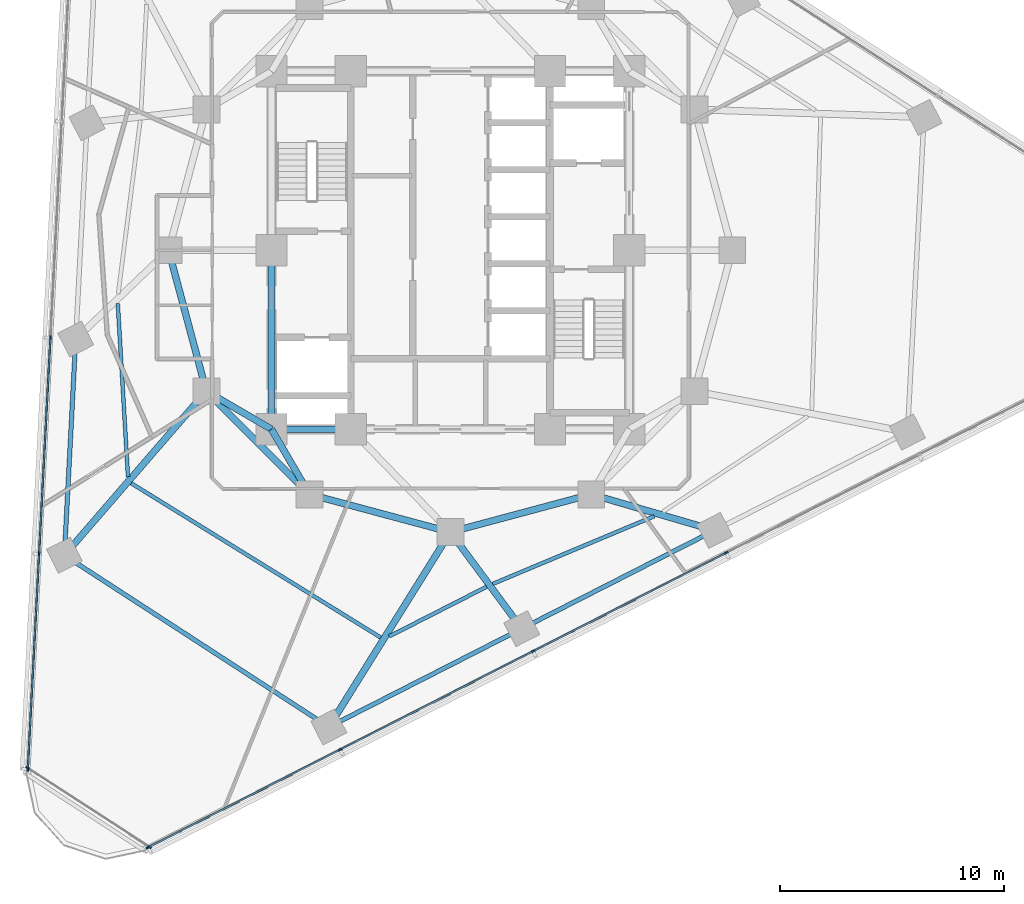
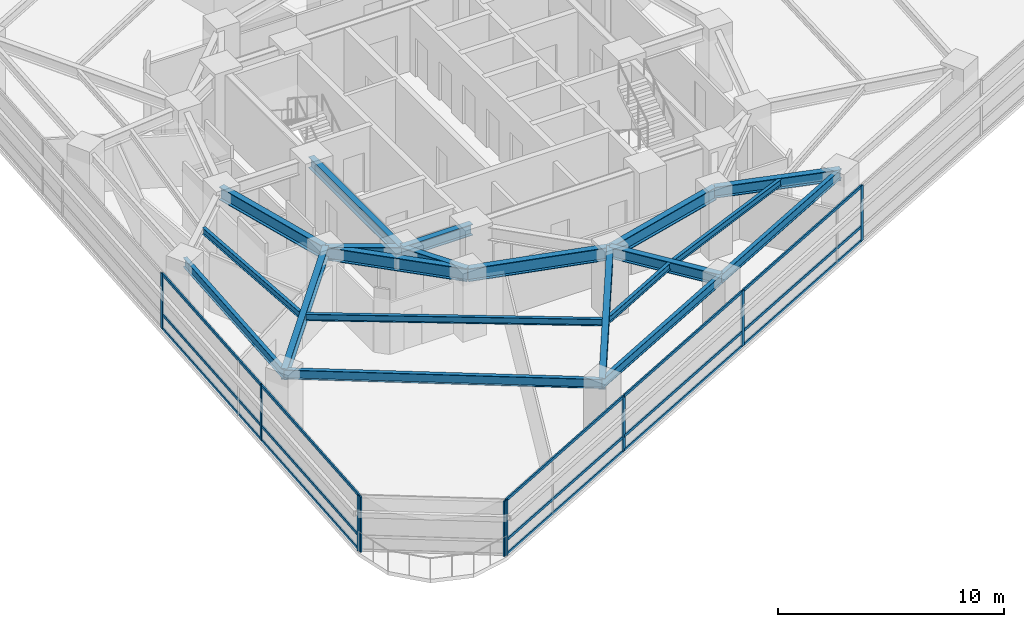
# One storey, part 2 of 14: 24 members, 20 beams, 3 elements without a shape of their own.
"""IFC4 building model written with IfcOpenShell, lengths in metres."""

from ifc_helpers import new_model, si_unit, direction, frame, origin, origin_2d, place, context, subcontext, project, spatial, rectangle, i_section, extrude, material, layer, layer_set, material_profile, profile_set, type_object, element, aggregate, save


model = new_model("IFC4")

# Units and contexts
model_context = context("Model", 3, precision=1e-05, world=origin(), true_north=direction((0.0, 1.0)))
body_context = subcontext(model_context, "Body", "Model", "MODEL_VIEW")
ifc_project = project(units=[si_unit("LENGTHUNIT", "METRE"), si_unit("AREAUNIT", "SQUARE_METRE"), si_unit("VOLUMEUNIT", "CUBIC_METRE"), si_unit("PLANEANGLEUNIT", "RADIAN"), si_unit("MASSUNIT", "GRAM", prefix="KILO")], contexts=[model_context])

# Site, building, storey
site_placement = place(None, origin())
site = spatial("IfcSite", under=ifc_project, at=site_placement, CompositionType="ELEMENT")
building_placement = place(site_placement, origin())
building = spatial("IfcBuilding", under=site, at=building_placement, Name="Terralouvre Media Tower", CompositionType="ELEMENT")
storey_placement = place(building_placement, frame((0.0, 0.0, 138.39990234375)))
storey = spatial("IfcBuildingStorey", under=building, at=storey_placement, Name="L35", CompositionType="ELEMENT", Elevation=138.39990234375)

# Beams
ifc_material_1 = material(Name="Structural steel S355J2", Category="steel")
ifc_material_profile_1 = material_profile(ifc_material_1, i_section(OverallWidth=0.169921875, OverallDepth=0.360107421875, WebThickness=0.008056640625, FlangeThickness=0.0126953125, at=origin_2d()), Name="IPE 360")
ifc_profile_set_1 = profile_set([ifc_material_profile_1], Name="Structural steel S355J2")
beam_type_1 = type_object("IfcBeamType", Name="Composite Floor Joist J-IPE360 (IPE 360)", PredefinedType="JOIST", material=ifc_profile_set_1)
beam_1_placement = place(storey_placement, frame((-14.872314453125, -2.377197265625, 3.320068359375), z_axis=(0.058878824525, -0.998265137137, 0.0), x_axis=(0.998265137137, 0.058878824525, 0.0)))
element("IfcBeam", 1, at=beam_1_placement, inside=storey, type_object=beam_type_1, Name="L35 Framing Beam JT-L35-01", PredefinedType="JOIST", context=body_context, shape_type="SweptSolid", body=[
    extrude(i_section(OverallWidth=0.169921875, OverallDepth=0.360107421875, WebThickness=0.008056640625, FlangeThickness=0.0126953125, at=origin_2d()), origin(), (0.0, 0.0, 1.0), 7.758056640625),
])
beam_2_placement = place(storey_placement, frame((-14.275390625, -10.413330078125, 3.320068359375), z_axis=(0.850512534705, -0.525954777818, 0.0), x_axis=(0.525954777818, 0.850512534705, 0.0)))
element("IfcBeam", 2, at=beam_2_placement, inside=storey, type_object=beam_type_1, Name="L35 Framing Beam JT-L35-02", PredefinedType="JOIST", context=body_context, shape_type="SweptSolid", body=[
    extrude(i_section(OverallWidth=0.169921875, OverallDepth=0.360107421875, WebThickness=0.008056640625, FlangeThickness=0.0126953125, at=origin_2d()), origin(), (0.0, 0.0, 1.0), 13.118896484375),
])
beam_3_placement = place(storey_placement, frame((-2.732666015625, -17.260986328125, 3.320068359375), z_axis=(0.891002879415, 0.453997652939, 0.0), x_axis=(-0.453997652939, 0.891002879415, 0.0)))
element("IfcBeam", 3, at=beam_3_placement, inside=storey, type_object=beam_type_1, Name="L35 Framing Beam JT-L35-03", PredefinedType="JOIST", context=body_context, shape_type="SweptSolid", body=[
    extrude(i_section(OverallWidth=0.169921875, OverallDepth=0.360107421875, WebThickness=0.008056640625, FlangeThickness=0.0126953125, at=origin_2d()), origin(), (0.0, 0.0, 1.0), 4.885009765625),
])
beam_4_placement = place(storey_placement, frame((1.89404296875, -14.916259765625, 3.320068359375), z_axis=(0.922254640504, 0.386582951085, 0.0), x_axis=(-0.386582951085, 0.922254640504, 0.0)))
element("IfcBeam", 4, at=beam_4_placement, inside=storey, type_object=beam_type_1, Name="L35 Framing Beam JT-L35-04", PredefinedType="JOIST", context=body_context, shape_type="SweptSolid", body=[
    extrude(i_section(OverallWidth=0.169921875, OverallDepth=0.360107421875, WebThickness=0.008056640625, FlangeThickness=0.0126953125, at=origin_2d()), origin(), (0.0, 0.0, 1.0), 7.8291015625),
])

# Curtain wall, members
ifc_material_2 = material(Name="Low-iron laminated double glazing with solar-control coating", Category="glass")
ifc_layer_1 = layer(ifc_material_2, 0.1650390625, Name="Production Studio Tower Curtain Wall CW-03")
ifc_layer_set_1 = layer_set([ifc_layer_1], Name="Low-iron laminated double glazing with solar-control coating")
curtain_wall_type_1 = type_object("IfcCurtainWallType", Name="Production Studio Tower Curtain Wall CW-03", PredefinedType="NOTDEFINED", material=ifc_layer_set_1)
curtain_wall_1_placement = place(storey_placement, origin())
curtain_wall_1 = element("IfcCurtainWall", 5, at=curtain_wall_1_placement, inside=storey, type_object=curtain_wall_type_1, Name="L35 Facade Curtain Wall F0", PredefinedType="NOTDEFINED")
ifc_material_3 = material(Name="Anodised extruded aluminium 6063-T6", Category="aluminium")
ifc_material_profile_2 = material_profile(ifc_material_3, rectangle(XDim=0.074951171875, YDim=0.14990234375, at=origin_2d()), Name="ALU 75x150")
ifc_profile_set_2 = profile_set([ifc_material_profile_2], Name="Anodised extruded aluminium 6063-T6")
member_type_1 = type_object("IfcMemberType", Name="Curtain-Wall Horizontal Transom TR-150", PredefinedType="USERDEFINED", material=ifc_profile_set_2)
member_1_placement = place(storey_placement, frame((-13.481689453125, -26.680419921875, 0.03759765625), z_axis=(0.891007557644, 0.453988471462, 0.0), x_axis=(-0.453988471462, 0.891007557644, 0.0)))
member_1 = element("IfcMember", 6, at=member_1_placement, type_object=member_type_1, Name="CW-03 transom 1.1", ObjectType="TRANSOM", PredefinedType="USERDEFINED", context=body_context, shape_type="SweptSolid", body=[
    extrude(rectangle(XDim=0.074951171875, YDim=0.14990234375, at=origin_2d()), origin(), (0.0, 0.0, 1.0), 9.5673828125),
])
member_2_placement = place(storey_placement, frame((-13.481689453125, -26.680419921875, 0.800048828125), z_axis=(0.891007557644, 0.453988471462, 0.0), x_axis=(-0.453988471462, 0.891007557644, 0.0)))
member_2 = element("IfcMember", 7, at=member_2_placement, type_object=member_type_1, Name="CW-03 transom 1.2", ObjectType="TRANSOM", PredefinedType="USERDEFINED", context=body_context, shape_type="SweptSolid", body=[
    extrude(rectangle(XDim=0.074951171875, YDim=0.14990234375, at=origin_2d()), origin(), (0.0, 0.0, 1.0), 9.5673828125),
])
member_3_placement = place(storey_placement, frame((-13.481689453125, -26.680419921875, 2.962646484375), z_axis=(0.891007557644, 0.453988471462, 0.0), x_axis=(-0.453988471462, 0.891007557644, 0.0)))
member_3 = element("IfcMember", 8, at=member_3_placement, type_object=member_type_1, Name="CW-03 transom 1.3", ObjectType="TRANSOM", PredefinedType="USERDEFINED", context=body_context, shape_type="SweptSolid", body=[
    extrude(rectangle(XDim=0.074951171875, YDim=0.14990234375, at=origin_2d()), origin(), (0.0, 0.0, 1.0), 9.5673828125),
])
member_4_placement = place(storey_placement, frame((-4.89013671875, -22.302978515625, 0.03759765625), z_axis=(0.891005548508, 0.453992414615, 0.0), x_axis=(-0.453992414615, 0.891005548508, 0.0)))
member_4 = element("IfcMember", 9, at=member_4_placement, type_object=member_type_1, Name="CW-03 transom 2.1", ObjectType="TRANSOM", PredefinedType="USERDEFINED", context=body_context, shape_type="SweptSolid", body=[
    extrude(rectangle(XDim=0.074951171875, YDim=0.14990234375, at=origin_2d()), origin(), (0.0, 0.0, 1.0), 9.60498046875),
])
member_5_placement = place(storey_placement, frame((-4.89013671875, -22.302978515625, 0.800048828125), z_axis=(0.891005548508, 0.453992414615, 0.0), x_axis=(-0.453992414615, 0.891005548508, 0.0)))
member_5 = element("IfcMember", 10, at=member_5_placement, type_object=member_type_1, Name="CW-03 transom 2.2", ObjectType="TRANSOM", PredefinedType="USERDEFINED", context=body_context, shape_type="SweptSolid", body=[
    extrude(rectangle(XDim=0.074951171875, YDim=0.14990234375, at=origin_2d()), origin(), (0.0, 0.0, 1.0), 9.60498046875),
])
member_6_placement = place(storey_placement, frame((-4.89013671875, -22.302978515625, 2.962646484375), z_axis=(0.891005548508, 0.453992414615, 0.0), x_axis=(-0.453992414615, 0.891005548508, 0.0)))
member_6 = element("IfcMember", 11, at=member_6_placement, type_object=member_type_1, Name="CW-03 transom 2.3", ObjectType="TRANSOM", PredefinedType="USERDEFINED", context=body_context, shape_type="SweptSolid", body=[
    extrude(rectangle(XDim=0.074951171875, YDim=0.14990234375, at=origin_2d()), origin(), (0.0, 0.0, 1.0), 9.60498046875),
])
member_7_placement = place(storey_placement, frame((3.734619140625, -17.908203125, 0.03759765625), z_axis=(0.891005548508, 0.453992414615, 0.0), x_axis=(-0.453992414615, 0.891005548508, 0.0)))
member_7 = element("IfcMember", 12, at=member_7_placement, type_object=member_type_1, Name="CW-03 transom 3.1", ObjectType="TRANSOM", PredefinedType="USERDEFINED", context=body_context, shape_type="SweptSolid", body=[
    extrude(rectangle(XDim=0.074951171875, YDim=0.14990234375, at=origin_2d()), origin(), (0.0, 0.0, 1.0), 9.60498046875),
])
member_8_placement = place(storey_placement, frame((3.734619140625, -17.908203125, 0.800048828125), z_axis=(0.891005548508, 0.453992414615, 0.0), x_axis=(-0.453992414615, 0.891005548508, 0.0)))
member_8 = element("IfcMember", 13, at=member_8_placement, type_object=member_type_1, Name="CW-03 transom 3.2", ObjectType="TRANSOM", PredefinedType="USERDEFINED", context=body_context, shape_type="SweptSolid", body=[
    extrude(rectangle(XDim=0.074951171875, YDim=0.14990234375, at=origin_2d()), origin(), (0.0, 0.0, 1.0), 9.60498046875),
])
member_9_placement = place(storey_placement, frame((3.734619140625, -17.908203125, 2.962646484375), z_axis=(0.891005548508, 0.453992414615, 0.0), x_axis=(-0.453992414615, 0.891005548508, 0.0)))
member_9 = element("IfcMember", 14, at=member_9_placement, type_object=member_type_1, Name="CW-03 transom 3.3", ObjectType="TRANSOM", PredefinedType="USERDEFINED", context=body_context, shape_type="SweptSolid", body=[
    extrude(rectangle(XDim=0.074951171875, YDim=0.14990234375, at=origin_2d()), origin(), (0.0, 0.0, 1.0), 9.60498046875),
])

curtain_wall_2_placement = place(storey_placement, origin())
curtain_wall_2 = element("IfcCurtainWall", 15, at=curtain_wall_2_placement, inside=storey, type_object=curtain_wall_type_1, Name="L35 Facade Curtain Wall F2", PredefinedType="NOTDEFINED")
member_10_placement = place(storey_placement, frame((-17.883056640625, -3.947021484375, 0.03759765625), z_axis=(-0.052336036535, -0.998629530547, 0.0), x_axis=(0.998629530547, -0.052336036535, 0.0)))
member_10 = element("IfcMember", 16, at=member_10_placement, type_object=member_type_1, Name="CW-03 transom 4.1", ObjectType="TRANSOM", PredefinedType="USERDEFINED", context=body_context, shape_type="SweptSolid", body=[
    extrude(rectangle(XDim=0.074951171875, YDim=0.14990234375, at=origin_2d()), origin(), (0.0, 0.0, 1.0), 9.60498046875),
])
member_11_placement = place(storey_placement, frame((-17.883056640625, -3.947021484375, 0.800048828125), z_axis=(-0.052336036535, -0.998629530547, 0.0), x_axis=(0.998629530547, -0.052336036535, 0.0)))
member_11 = element("IfcMember", 17, at=member_11_placement, type_object=member_type_1, Name="CW-03 transom 4.2", ObjectType="TRANSOM", PredefinedType="USERDEFINED", context=body_context, shape_type="SweptSolid", body=[
    extrude(rectangle(XDim=0.074951171875, YDim=0.14990234375, at=origin_2d()), origin(), (0.0, 0.0, 1.0), 9.60498046875),
])
member_12_placement = place(storey_placement, frame((-17.883056640625, -3.947021484375, 2.962646484375), z_axis=(-0.052336036535, -0.998629530547, 0.0), x_axis=(0.998629530547, -0.052336036535, 0.0)))
member_12 = element("IfcMember", 18, at=member_12_placement, type_object=member_type_1, Name="CW-03 transom 4.3", ObjectType="TRANSOM", PredefinedType="USERDEFINED", context=body_context, shape_type="SweptSolid", body=[
    extrude(rectangle(XDim=0.074951171875, YDim=0.14990234375, at=origin_2d()), origin(), (0.0, 0.0, 1.0), 9.60498046875),
])
member_13_placement = place(storey_placement, frame((-18.3896484375, -13.61376953125, 0.03759765625), z_axis=(-0.052336504837, -0.998629506004, 0.0), x_axis=(0.998629506004, -0.052336504837, 0.0)))
member_13 = element("IfcMember", 19, at=member_13_placement, type_object=member_type_1, Name="CW-03 transom 5.1", ObjectType="TRANSOM", PredefinedType="USERDEFINED", context=body_context, shape_type="SweptSolid", body=[
    extrude(rectangle(XDim=0.074951171875, YDim=0.14990234375, at=origin_2d()), origin(), (0.0, 0.0, 1.0), 9.567626953125),
])
member_14_placement = place(storey_placement, frame((-18.3896484375, -13.61376953125, 0.800048828125), z_axis=(-0.052336504837, -0.998629506004, 0.0), x_axis=(0.998629506004, -0.052336504837, 0.0)))
member_14 = element("IfcMember", 20, at=member_14_placement, type_object=member_type_1, Name="CW-03 transom 5.2", ObjectType="TRANSOM", PredefinedType="USERDEFINED", context=body_context, shape_type="SweptSolid", body=[
    extrude(rectangle(XDim=0.074951171875, YDim=0.14990234375, at=origin_2d()), origin(), (0.0, 0.0, 1.0), 9.567626953125),
])
member_15_placement = place(storey_placement, frame((-18.3896484375, -13.61376953125, 2.962646484375), z_axis=(-0.052336504837, -0.998629506004, 0.0), x_axis=(0.998629506004, -0.052336504837, 0.0)))
member_15 = element("IfcMember", 21, at=member_15_placement, type_object=member_type_1, Name="CW-03 transom 5.3", ObjectType="TRANSOM", PredefinedType="USERDEFINED", context=body_context, shape_type="SweptSolid", body=[
    extrude(rectangle(XDim=0.074951171875, YDim=0.14990234375, at=origin_2d()), origin(), (0.0, 0.0, 1.0), 9.567626953125),
])

# Member
ifc_material_4 = material(Name="Anodised extruded aluminium 6063-T6", Category="aluminium")
ifc_material_profile_3 = material_profile(ifc_material_4, rectangle(XDim=0.074951171875, YDim=0.179931640625, at=origin_2d()), Name="ALU 75x180")
ifc_profile_set_3 = profile_set([ifc_material_profile_3], Name="Anodised extruded aluminium 6063-T6")
member_type_2 = type_object("IfcMemberType", Name="Curtain-Wall Vertical Mullion ML-180", PredefinedType="MULLION", material=ifc_profile_set_3)
member_16_placement = place(storey_placement, frame((-13.51513671875, -26.697509765625, 0.0), z_axis=(0.0, 0.0, 1.0), x_axis=(-0.4539905449, 0.891006501178, 0.0)))
member_16 = element("IfcMember", 22, at=member_16_placement, type_object=member_type_2, Name="CW-03 mullion 1", PredefinedType="MULLION", context=body_context, shape_type="SweptSolid", body=[
    extrude(rectangle(XDim=0.074951171875, YDim=0.179931640625, at=origin_2d()), origin(), (0.0, 0.0, 1.0), 3.0),
])

member_17_placement = place(storey_placement, frame((-4.923583984375, -22.31982421875, 0.0), z_axis=(0.0, 0.0, 1.0), x_axis=(-0.4539905449, 0.891006501178, 0.0)))
member_17 = element("IfcMember", 23, at=member_17_placement, type_object=member_type_2, Name="CW-03 mullion 2", PredefinedType="MULLION", context=body_context, shape_type="SweptSolid", body=[
    extrude(rectangle(XDim=0.074951171875, YDim=0.179931640625, at=origin_2d()), origin(), (0.0, 0.0, 1.0), 3.0),
])

member_18_placement = place(storey_placement, frame((3.701416015625, -17.92529296875, 0.0), z_axis=(0.0, 0.0, 1.0), x_axis=(-0.4539905449, 0.891006501178, 0.0)))
member_18 = element("IfcMember", 24, at=member_18_placement, type_object=member_type_2, Name="CW-03 mullion 3", PredefinedType="MULLION", context=body_context, shape_type="SweptSolid", body=[
    extrude(rectangle(XDim=0.074951171875, YDim=0.179931640625, at=origin_2d()), origin(), (0.0, 0.0, 1.0), 3.0),
])

member_19_placement = place(storey_placement, frame((12.326171875, -13.530517578125, 0.0), z_axis=(0.0, 0.0, 1.0), x_axis=(-0.4539905449, 0.891006501178, 0.0)))
member_19 = element("IfcMember", 25, at=member_19_placement, type_object=member_type_2, Name="CW-03 mullion 4", PredefinedType="MULLION", context=body_context, shape_type="SweptSolid", body=[
    extrude(rectangle(XDim=0.074951171875, YDim=0.179931640625, at=origin_2d()), origin(), (0.0, 0.0, 1.0), 3.0),
])

aggregate(curtain_wall_1, [member_16, member_17, member_18, member_19, member_1, member_2, member_3, member_4, member_5, member_6, member_7, member_8, member_9])

member_20_placement = place(storey_placement, frame((-17.881103515625, -3.909423828125, 0.0), z_axis=(0.0, 0.0, 1.0), x_axis=(0.998629535089, -0.052335949864, 0.0)))
member_20 = element("IfcMember", 26, at=member_20_placement, type_object=member_type_2, Name="CW-03 mullion 4", PredefinedType="MULLION", context=body_context, shape_type="SweptSolid", body=[
    extrude(rectangle(XDim=0.074951171875, YDim=0.179931640625, at=origin_2d()), origin(), (0.0, 0.0, 1.0), 3.0),
])

member_21_placement = place(storey_placement, frame((-18.3876953125, -13.576171875, 0.0), z_axis=(0.0, 0.0, 1.0), x_axis=(0.998629535089, -0.052335949864, 0.0)))
member_21 = element("IfcMember", 27, at=member_21_placement, type_object=member_type_2, Name="CW-03 mullion 5", PredefinedType="MULLION", context=body_context, shape_type="SweptSolid", body=[
    extrude(rectangle(XDim=0.074951171875, YDim=0.179931640625, at=origin_2d()), origin(), (0.0, 0.0, 1.0), 3.0),
])

member_22_placement = place(storey_placement, frame((-18.892333984375, -23.20556640625, 0.0), z_axis=(0.0, 0.0, 1.0), x_axis=(0.998629535089, -0.052335949864, 0.0)))
member_22 = element("IfcMember", 28, at=member_22_placement, type_object=member_type_2, Name="CW-03 mullion 6", PredefinedType="MULLION", context=body_context, shape_type="SweptSolid", body=[
    extrude(rectangle(XDim=0.074951171875, YDim=0.179931640625, at=origin_2d()), origin(), (0.0, 0.0, 1.0), 3.0),
])

aggregate(curtain_wall_2, [member_20, member_21, member_22, member_10, member_11, member_12, member_13, member_14, member_15])

# Curtain wall, members
ifc_material_5 = material(Name="Low-iron laminated double glazing with solar-control coating", Category="glass")
ifc_layer_2 = layer(ifc_material_5, 0.1650390625, Name="Rounded Wind-Corner Curved Glazing CW-04")
ifc_layer_set_2 = layer_set([ifc_layer_2], Name="Low-iron laminated double glazing with solar-control coating")
curtain_wall_type_2 = type_object("IfcCurtainWallType", Name="Rounded Wind-Corner Curved Glazing CW-04", PredefinedType="NOTDEFINED", material=ifc_layer_set_2)
curtain_wall_3_placement = place(storey_placement, origin())
curtain_wall_3 = element("IfcCurtainWall", 29, at=curtain_wall_3_placement, inside=storey, type_object=curtain_wall_type_2, Name="L35 Rounded Wind-Corner Curtain Wall C0", PredefinedType="NOTDEFINED")
member_23_placement = place(storey_placement, frame((-18.90625, -23.1396484375, 0.0), z_axis=(0.0, 0.0, 1.0), x_axis=(0.544639308152, 0.838670390568, 0.0)))
member_23 = element("IfcMember", 30, at=member_23_placement, type_object=member_type_2, Name="CW-04 mullion 1", PredefinedType="MULLION", context=body_context, shape_type="SweptSolid", body=[
    extrude(rectangle(XDim=0.074951171875, YDim=0.179931640625, at=origin_2d()), origin(), (0.0, 0.0, 1.0), 3.0),
])
member_24_placement = place(storey_placement, frame((-13.44921875, -26.68359375, 0.0), z_axis=(0.0, 0.0, 1.0), x_axis=(0.544639308152, 0.838670390568, 0.0)))
member_24 = element("IfcMember", 31, at=member_24_placement, type_object=member_type_2, Name="CW-04 mullion 2", PredefinedType="MULLION", context=body_context, shape_type="SweptSolid", body=[
    extrude(rectangle(XDim=0.074951171875, YDim=0.179931640625, at=origin_2d()), origin(), (0.0, 0.0, 1.0), 3.0),
])
aggregate(curtain_wall_3, [member_23, member_24])

# Beams
ifc_material_6 = material(Name="Structural steel S355J2", Category="steel")
ifc_material_profile_4 = material_profile(ifc_material_6, i_section(OverallWidth=0.199951171875, OverallDepth=0.5, WebThickness=0.01025390625, FlangeThickness=0.01611328125, at=origin_2d()), Name="IPE 500")
ifc_profile_set_4 = profile_set([ifc_material_profile_4], Name="Structural steel S355J2")
beam_type_2 = type_object("IfcBeamType", Name="Perimeter Spandrel Beam SPB-500 (IPE 500)", PredefinedType="SPANDREL", material=ifc_profile_set_4)
beam_5_placement = place(storey_placement, frame((-16.75244140625, -3.96875, 3.25), z_axis=(-0.052333792648, -0.998629648141, 0.0), x_axis=(0.998629648141, -0.052333792648, 0.0)))
element("IfcBeam", 32, at=beam_5_placement, inside=storey, type_object=beam_type_2, Name="L35 Framing Beam BM-L35-PR01", PredefinedType="SPANDREL", context=body_context, shape_type="SweptSolid", body=[
    extrude(i_section(OverallWidth=0.199951171875, OverallDepth=0.5, WebThickness=0.01025390625, FlangeThickness=0.01611328125, at=origin_2d()), origin(), (0.0, 0.0, 1.0), 9.679931640625),
])
beam_6_placement = place(storey_placement, frame((-17.259033203125, -13.635498046875, 3.25), z_axis=(0.838675019369, -0.544632180363, 0.0), x_axis=(0.544632180363, 0.838675019369, 0.0)))
element("IfcBeam", 33, at=beam_6_placement, inside=storey, type_object=beam_type_2, Name="L35 Framing Beam BM-L35-PR02", PredefinedType="SPANDREL", context=body_context, shape_type="SweptSolid", body=[
    extrude(i_section(OverallWidth=0.199951171875, OverallDepth=0.5, WebThickness=0.01025390625, FlangeThickness=0.01611328125, at=origin_2d()), origin(), (0.0, 0.0, 1.0), 14.0966796875),
])
beam_7_placement = place(storey_placement, frame((-5.4365234375, -21.31298828125, 3.25), z_axis=(0.891006580855, 0.453990388524, 0.0), x_axis=(-0.453990388524, 0.891006580855, 0.0)))
element("IfcBeam", 34, at=beam_7_placement, inside=storey, type_object=beam_type_2, Name="L35 Framing Beam BM-L35-PR03", PredefinedType="SPANDREL", context=body_context, shape_type="SweptSolid", body=[
    extrude(i_section(OverallWidth=0.199951171875, OverallDepth=0.5, WebThickness=0.01025390625, FlangeThickness=0.01611328125, at=origin_2d()), origin(), (0.0, 0.0, 1.0), 9.6796875),
])
beam_8_placement = place(storey_placement, frame((3.188232421875, -16.91845703125, 3.25), z_axis=(0.891001576959, 0.454000209093, 0.0), x_axis=(-0.454000209093, 0.891001576959, 0.0)))
element("IfcBeam", 35, at=beam_8_placement, inside=storey, type_object=beam_type_2, Name="L35 Framing Beam BM-L35-PR04", PredefinedType="SPANDREL", context=body_context, shape_type="SweptSolid", body=[
    extrude(i_section(OverallWidth=0.199951171875, OverallDepth=0.5, WebThickness=0.01025390625, FlangeThickness=0.01611328125, at=origin_2d()), origin(), (0.0, 0.0, 1.0), 9.68017578125),
])
ifc_material_7 = material(Name="Structural steel S460M", Category="steel")
ifc_material_profile_5 = material_profile(ifc_material_7, i_section(OverallWidth=0.300048828125, OverallDepth=0.60009765625, WebThickness=0.015380859375, FlangeThickness=0.030029296875, at=origin_2d()), Name="HEB 600")
ifc_profile_set_5 = profile_set([ifc_material_profile_5], Name="Structural steel S460M")
beam_type_3 = type_object("IfcBeamType", Name="Primary Floor Girder B-HEB600 (HEB 600)", PredefinedType="BEAM", material=ifc_profile_set_5)
beam_9_placement = place(storey_placement, frame((-8.0, -8.0, 3.2001953125), z_axis=(1.0, 0.0, 0.0), x_axis=(0.0, 1.0, 0.0)))
element("IfcBeam", 36, at=beam_9_placement, inside=storey, type_object=beam_type_3, Name="L35 Framing Beam BM-L35-CPR01", PredefinedType="BEAM", context=body_context, shape_type="SweptSolid", body=[
    extrude(i_section(OverallWidth=0.300048828125, OverallDepth=0.60009765625, WebThickness=0.015380859375, FlangeThickness=0.030029296875, at=origin_2d()), origin(), (0.0, 0.0, 1.0), 3.550048828125),
])
beam_10_placement = place(storey_placement, frame((-8.0, 0.0, 3.2001953125), z_axis=(0.0, -1.0, 0.0), x_axis=(1.0, 0.0, 0.0)))
element("IfcBeam", 37, at=beam_10_placement, inside=storey, type_object=beam_type_3, Name="L35 Framing Beam BM-L35-CPR10", PredefinedType="BEAM", context=body_context, shape_type="SweptSolid", body=[
    extrude(i_section(OverallWidth=0.300048828125, OverallDepth=0.60009765625, WebThickness=0.015380859375, FlangeThickness=0.030029296875, at=origin_2d()), origin(), (0.0, 0.0, 1.0), 8.0),
])
beam_11_placement = place(storey_placement, frame((-10.911865234375, -6.300048828125, 3.2001953125), z_axis=(-0.654328588351, -0.756210353319, 0.0), x_axis=(0.756210353319, -0.654328588351, 0.0)))
element("IfcBeam", 38, at=beam_11_placement, inside=storey, type_object=beam_type_3, Name="L35 Framing Beam BM-L35-RD02", PredefinedType="BEAM", context=body_context, shape_type="SweptSolid", body=[
    extrude(i_section(OverallWidth=0.300048828125, OverallDepth=0.60009765625, WebThickness=0.015380859375, FlangeThickness=0.030029296875, at=origin_2d()), origin(), (0.0, 0.0, 1.0), 9.7001953125),
])
beam_12_placement = place(storey_placement, frame((0.0, -12.60009765625, 3.2001953125), z_axis=(-0.529366283505, -0.848393386282, 0.0), x_axis=(0.848393386282, -0.529366283505, 0.0)))
element("IfcBeam", 39, at=beam_12_placement, inside=storey, type_object=beam_type_3, Name="L35 Framing Beam BM-L35-RD03", PredefinedType="BEAM", context=body_context, shape_type="SweptSolid", body=[
    extrude(i_section(OverallWidth=0.300048828125, OverallDepth=0.60009765625, WebThickness=0.015380859375, FlangeThickness=0.030029296875, at=origin_2d()), origin(), (0.0, 0.0, 1.0), 10.269775390625),
])
beam_13_placement = place(storey_placement, frame((0.0, -12.60009765625, 3.2001953125), z_axis=(0.593957444229, -0.804496460182, 0.0), x_axis=(0.804496460182, 0.593957444229, 0.0)))
element("IfcBeam", 40, at=beam_13_placement, inside=storey, type_object=beam_type_3, Name="L35 Framing Beam BM-L35-RD04", PredefinedType="BEAM", context=body_context, shape_type="SweptSolid", body=[
    extrude(i_section(OverallWidth=0.300048828125, OverallDepth=0.60009765625, WebThickness=0.015380859375, FlangeThickness=0.030029296875, at=origin_2d()), origin(), (0.0, 0.0, 1.0), 5.36767578125),
])
beam_14_placement = place(storey_placement, frame((6.300048828125, -10.911865234375, 3.2001953125), z_axis=(0.959821765834, -0.280610366577, 0.0), x_axis=(0.280610366577, 0.959821765834, 0.0)))
element("IfcBeam", 41, at=beam_14_placement, inside=storey, type_object=beam_type_3, Name="L35 Framing Beam BM-L35-RD05", PredefinedType="BEAM", context=body_context, shape_type="SweptSolid", body=[
    extrude(i_section(OverallWidth=0.300048828125, OverallDepth=0.60009765625, WebThickness=0.015380859375, FlangeThickness=0.030029296875, at=origin_2d()), origin(), (0.0, 0.0, 1.0), 5.743896484375),
])
ifc_material_8 = material(Name="Structural steel S460M", Category="steel")
ifc_material_profile_6 = material_profile(ifc_material_8, i_section(OverallWidth=0.300048828125, OverallDepth=0.699951171875, WebThickness=0.01708984375, FlangeThickness=0.031982421875, at=origin_2d()), Name="HEB 700")
ifc_profile_set_6 = profile_set([ifc_material_profile_6], Name="Structural steel S460M")
beam_type_4 = type_object("IfcBeamType", Name="Primary Floor Girder B-HEB700 (HEB 700)", PredefinedType="BEAM", material=ifc_profile_set_6)
beam_15_placement = place(storey_placement, frame((-10.911865234375, -6.300048828125, 3.150146484375), z_axis=(0.707106781187, -0.707106781187, 0.0), x_axis=(0.707106781187, 0.707106781187, 0.0)))
element("IfcBeam", 42, at=beam_15_placement, inside=storey, type_object=beam_type_4, Name="L35 Framing Beam BM-L35-MR01", PredefinedType="BEAM", context=body_context, shape_type="SweptSolid", body=[
    extrude(i_section(OverallWidth=0.300048828125, OverallDepth=0.699951171875, WebThickness=0.01708984375, FlangeThickness=0.031982421875, at=origin_2d()), origin(), (0.0, 0.0, 1.0), 6.52197265625),
])
for number, where, z_axis, x_axis, name in (
    (43, (-6.300048828125, -10.911865234375, 3.150146484375), (0.965920481897, -0.258838989821, 0.0), (0.258838989821, 0.965920481897, 0.0), "L35 Framing Beam BM-L35-MR02"),
    (44, (0.0, -12.60009765625, 3.150146484375), (0.965920481897, 0.258838989821, 0.0), (-0.258838989821, 0.965920481897, 0.0), "L35 Framing Beam BM-L35-MR03"),
    (45, (-12.60009765625, 0.0, 3.150146484375), (0.258838989821, -0.965920481897, 0.0), (0.965920481897, 0.258838989821, 0.0), "L35 Framing Beam BM-L35-MR12"),
):
    element("IfcBeam", number, at=place(storey_placement, frame(where, z_axis=z_axis, x_axis=x_axis)), inside=storey, type_object=beam_type_4, Name=name, PredefinedType="BEAM", context=body_context, shape_type="SweptSolid", body=[
        extrude(i_section(OverallWidth=0.300048828125, OverallDepth=0.699951171875, WebThickness=0.01708984375, FlangeThickness=0.031982421875, at=origin_2d()), origin(), (0.0, 0.0, 1.0), 6.522216796875),
    ])
for number, where, z_axis, x_axis, name in (
    (46, (-8.0, -8.0, 3.150146484375), (-0.863602894532, 0.504172629717, 0.0), (-0.504172629717, -0.863602894532, 0.0), "L35 Framing Beam BM-L35-CM01"),
    (47, (-8.0, -8.0, 3.150146484375), (0.504172629717, -0.863602894532, 0.0), (0.863602894532, 0.504172629717, 0.0), "L35 Framing Beam BM-L35-CM02"),
):
    element("IfcBeam", number, at=place(storey_placement, frame(where, z_axis=z_axis, x_axis=x_axis)), inside=storey, type_object=beam_type_4, Name=name, PredefinedType="BEAM", context=body_context, shape_type="SweptSolid", body=[
        extrude(i_section(OverallWidth=0.300048828125, OverallDepth=0.699951171875, WebThickness=0.01708984375, FlangeThickness=0.031982421875, at=origin_2d()), origin(), (0.0, 0.0, 1.0), 3.371826171875),
    ])

save(model, "model.ifc")
